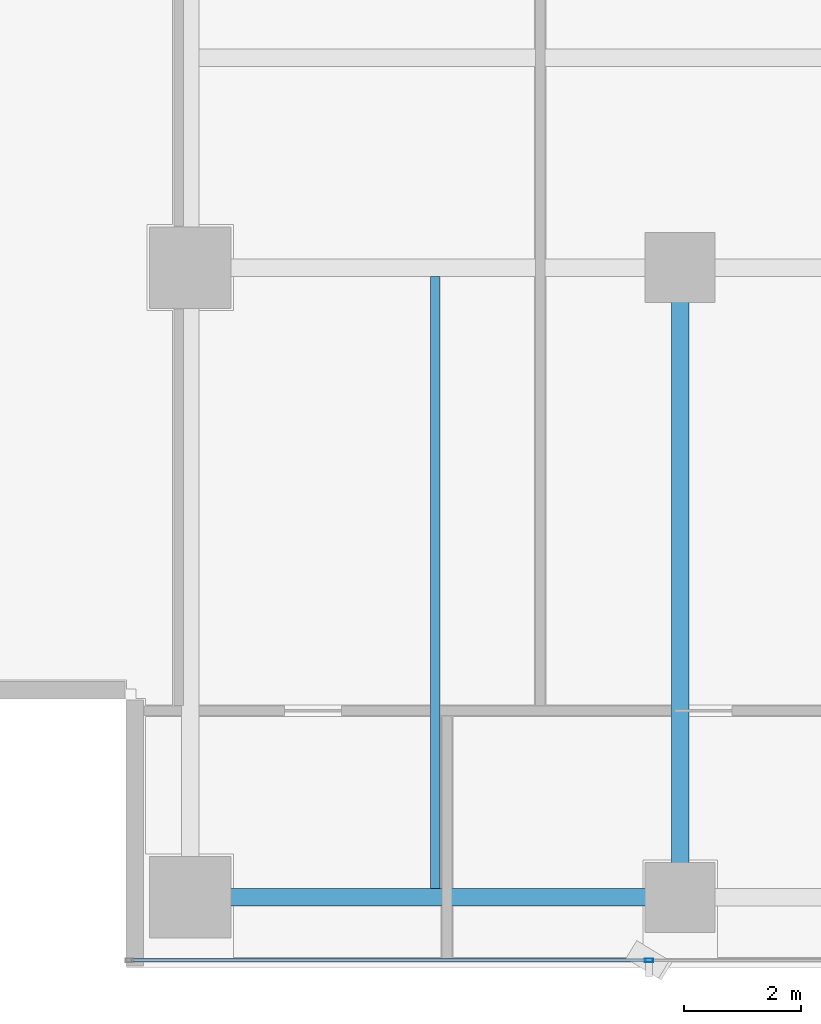
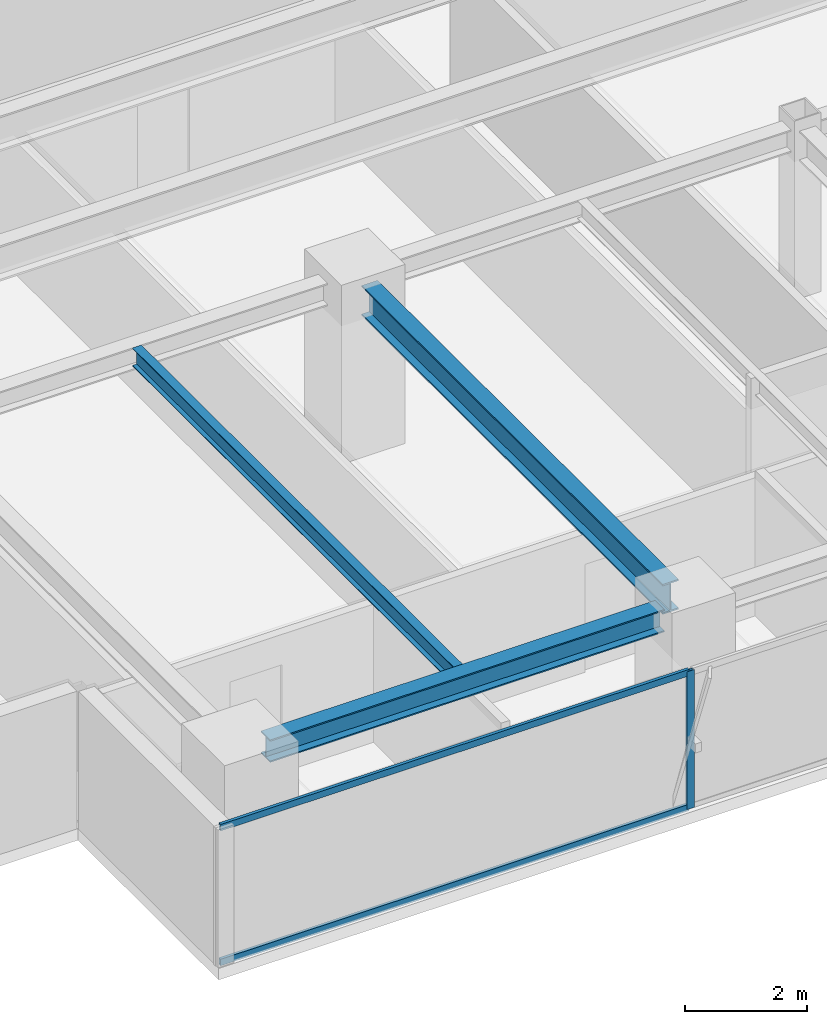
# One storey, part 3 of 27: 3 beams, 3 members, 1 element without a shape of its own.
"""IFC4 building model written with IfcOpenShell, lengths in metres."""

from ifc_helpers import new_model, si_unit, direction, frame, origin, origin_2d, place, context, subcontext, project, spatial, hollow_rectangle, i_section, extrude, source, transform, mapped, material, layer, layer_set, material_profile, profile_set, type_object, element, aggregate, save


model = new_model("IFC4")

# Units and contexts
model_context = context("Model", 3, precision=1e-05, world=origin(), true_north=direction((0.0, 1.0)))
body_context = subcontext(model_context, "Body", "Model", "MODEL_VIEW")
ifc_project = project(units=[si_unit("LENGTHUNIT", "METRE"), si_unit("AREAUNIT", "SQUARE_METRE"), si_unit("VOLUMEUNIT", "CUBIC_METRE"), si_unit("PLANEANGLEUNIT", "RADIAN"), si_unit("MASSUNIT", "GRAM", prefix="KILO")], contexts=[model_context])

# Site, building, storey
site_placement = place(None, origin())
site = spatial("IfcSite", under=ifc_project, at=site_placement, CompositionType="ELEMENT")
building_placement = place(site_placement, origin())
building = spatial("IfcBuilding", under=site, at=building_placement, Name="Sumidabori Civic Tower", CompositionType="ELEMENT")
storey_placement = place(building_placement, frame((0.0, 0.0, 257.60009765625)))
storey = spatial("IfcBuildingStorey", under=building, at=storey_placement, Name="L67", CompositionType="ELEMENT", Elevation=257.60009765625)

# Beams
ifc_material_1 = material(Name="Steel SN490", Category="steel")
ifc_material_profile_1 = material_profile(ifc_material_1, i_section(OverallWidth=0.300048828125, OverallDepth=0.60009765625, WebThickness=0.015380859375, FlangeThickness=0.030029296875, at=origin_2d()), Name="HE 600 B")
ifc_profile_set_1 = profile_set([ifc_material_profile_1], Name="Steel SN490")
beam_type_1 = type_object("IfcBeamType", Name="BM-GIRD-600", PredefinedType="BEAM", material=ifc_profile_set_1)
shared_shape_1 = source(origin(), body_context, "Body", "SweptSolid", [
    extrude(i_section(OverallWidth=0.300048828125, OverallDepth=0.60009765625, WebThickness=0.015380859375, FlangeThickness=0.030029296875, at=origin_2d()), origin(), (0.0, 0.0, 1.0), 9.840087890625),
])
beam_1_placement = place(storey_placement, frame((-8.39990234375, -10.320068359375, 3.06982421875), z_axis=(0.0, 1.0, 0.0), x_axis=(-1.0, 0.0, 0.0)))
element("IfcBeam", 1, at=beam_1_placement, inside=storey, type_object=beam_type_1, Name="Primary Girder L67 GY-12", PredefinedType="BEAM", context=body_context, shape_type="MappedRepresentation", body=[
    mapped(shared_shape_1, transform((0.0, 0.0, 0.0), x_axis=(1.0, 0.0, 0.0), y_axis=(0.0, 1.0, 0.0), z_axis=(0.0, 0.0, 1.0), scale=1.0)),
])
ifc_material_profile_2 = material_profile(ifc_material_1, i_section(OverallWidth=0.300048828125, OverallDepth=0.449951171875, WebThickness=0.013916015625, FlangeThickness=0.02587890625, at=origin_2d()), Name="HE 450 B")
ifc_profile_set_2 = profile_set([ifc_material_profile_2], Name="Steel SN490")
beam_type_2 = type_object("IfcBeamType", Name="BM-GIRD-450", PredefinedType="BEAM", material=ifc_profile_set_2)
shared_shape_2 = source(origin(), body_context, "Body", "SweptSolid", [
    extrude(i_section(OverallWidth=0.300048828125, OverallDepth=0.449951171875, WebThickness=0.013916015625, FlangeThickness=0.02587890625, at=origin_2d()), origin(), (0.0, 0.0, 1.0), 7.440185546875),
])
beam_2_placement = place(storey_placement, frame((-16.320068359375, -10.800048828125, 3.14501953125), z_axis=(1.0, 0.0, 0.0), x_axis=(0.0, 1.0, 0.0)))
element("IfcBeam", 2, at=beam_2_placement, inside=storey, type_object=beam_type_2, Name="Primary Girder L67 GX-01", PredefinedType="BEAM", context=body_context, shape_type="MappedRepresentation", body=[
    mapped(shared_shape_2, transform((0.0, 0.0, 0.0), x_axis=(1.0, 0.0, 0.0), y_axis=(0.0, 1.0, 0.0), z_axis=(0.0, 0.0, 1.0), scale=1.0)),
])
ifc_material_profile_3 = material_profile(ifc_material_1, i_section(OverallWidth=0.169921875, OverallDepth=0.360107421875, WebThickness=0.008056640625, FlangeThickness=0.0126953125, at=origin_2d()), Name="IPE 360")
ifc_profile_set_3 = profile_set([ifc_material_profile_3], Name="Steel SN490")
beam_type_3 = type_object("IfcBeamType", Name="BM-JST-360", PredefinedType="JOIST", material=ifc_profile_set_3)
shared_shape_3 = source(origin(), body_context, "Body", "SweptSolid", [
    extrude(i_section(OverallWidth=0.169921875, OverallDepth=0.360107421875, WebThickness=0.008056640625, FlangeThickness=0.0126953125, at=origin_2d()), origin(), (0.0, 0.0, 1.0), 10.5),
])
beam_3_placement = place(storey_placement, frame((-12.60009765625, -10.64990234375, 3.18994140625), z_axis=(0.0, 1.0, 0.0), x_axis=(-1.0, 0.0, 0.0)))
element("IfcBeam", 3, at=beam_3_placement, inside=storey, type_object=beam_type_3, Name="Upper Lens N-S Floor Joist L67 JSTV-20", PredefinedType="JOIST", context=body_context, shape_type="MappedRepresentation", body=[
    mapped(shared_shape_3, transform((0.0, 0.0, 0.0), x_axis=(1.0, 0.0, 0.0), y_axis=(0.0, 1.0, 0.0), z_axis=(0.0, 0.0, 1.0), scale=1.0)),
])

# Curtain wall, members
ifc_material_2 = material(Name="Anodised Bronze Aluminium AW-6063-T6", Category="aluminium")
ifc_layer = layer(ifc_material_2, 0.179931640625, Name="Anodised Bronze Aluminium AW-6063-T6")
ifc_layer_set = layer_set([ifc_layer], Name="Anodised Bronze Aluminium AW-6063-T6")
curtain_wall_type = type_object("IfcCurtainWallType", Name="CW-SYS-5", PredefinedType="NOTDEFINED", material=ifc_layer_set)
curtain_wall_placement = place(storey_placement, origin())
curtain_wall = element("IfcCurtainWall", 4, at=curtain_wall_placement, inside=storey, type_object=curtain_wall_type, Name="Curtain Wall CW:L67:R01", PredefinedType="NOTDEFINED")
ifc_material_profile_4 = material_profile(ifc_material_2, hollow_rectangle(XDim=0.06005859375, YDim=0.139892578125, WallThickness=0.0048828125, at=origin_2d()), Name="ALU MULLION 140x60")
ifc_profile_set_4 = profile_set([ifc_material_profile_4], Name="Anodised Bronze Aluminium AW-6063-T6")
member_type_1 = type_object("IfcMemberType", Name="CW-MUL-140", PredefinedType="MULLION", material=ifc_profile_set_4)
shared_shape_4 = source(origin(), body_context, "Body", "SweptSolid", [
    extrude(hollow_rectangle(XDim=0.06005859375, YDim=0.139892578125, WallThickness=0.0048828125, at=origin_2d()), origin(), (0.0, 0.0, 1.0), 2.75),
])
member_1_placement = place(storey_placement, frame((-8.93505859375, -11.8798828125, 0.0), z_axis=(0.0, 0.0, 1.0), x_axis=(0.0, 1.0, 0.0)))
member_1 = element("IfcMember", 5, at=member_1_placement, type_object=member_type_1, Name="CW-5 mullion 2", PredefinedType="MULLION", context=body_context, shape_type="MappedRepresentation", body=[
    mapped(shared_shape_4, transform((0.0, 0.0, 0.0), x_axis=(1.0, 0.0, 0.0), y_axis=(0.0, 1.0, 0.0), z_axis=(0.0, 0.0, 1.0), scale=1.0)),
])
ifc_material_profile_5 = material_profile(ifc_material_2, hollow_rectangle(XDim=0.06005859375, YDim=0.1298828125, WallThickness=0.0048828125, at=origin_2d()), Name="ALU TRANSOM 130x60")
ifc_profile_set_5 = profile_set([ifc_material_profile_5], Name="Anodised Bronze Aluminium AW-6063-T6")
member_type_2 = type_object("IfcMemberType", Name="CW-TRN-130", PredefinedType="USERDEFINED", material=ifc_profile_set_5)
shared_shape_5 = source(origin(), body_context, "Body", "SweptSolid", [
    extrude(hollow_rectangle(XDim=0.06005859375, YDim=0.1298828125, WallThickness=0.0048828125, at=origin_2d()), origin(), (0.0, 0.0, 1.0), 8.844970703125),
])
member_2_placement = place(storey_placement, frame((-17.81005859375, -11.8798828125, 0.02978515625), z_axis=(1.0, 0.0, 0.0), x_axis=(0.0, 1.0, 0.0)))
member_2 = element("IfcMember", 6, at=member_2_placement, type_object=member_type_2, Name="CW-5 transom 1.1", ObjectType="TRANSOM", PredefinedType="USERDEFINED", context=body_context, shape_type="MappedRepresentation", body=[
    mapped(shared_shape_5, transform((0.0, 0.0, 0.0), x_axis=(1.0, 0.0, 0.0), y_axis=(0.0, 1.0, 0.0), z_axis=(0.0, 0.0, 1.0), scale=1.0)),
])
member_3_placement = place(storey_placement, frame((-17.81005859375, -11.8798828125, 2.719970703125), z_axis=(1.0, 0.0, 0.0), x_axis=(0.0, 1.0, 0.0)))
member_3 = element("IfcMember", 7, at=member_3_placement, type_object=member_type_2, Name="CW-5 transom 1.2", ObjectType="TRANSOM", PredefinedType="USERDEFINED", context=body_context, shape_type="MappedRepresentation", body=[
    mapped(shared_shape_5, transform((0.0, 0.0, 0.0), x_axis=(1.0, 0.0, 0.0), y_axis=(0.0, 1.0, 0.0), z_axis=(0.0, 0.0, 1.0), scale=1.0)),
])
aggregate(curtain_wall, [member_1, member_2, member_3])

save(model, "model.ifc")
